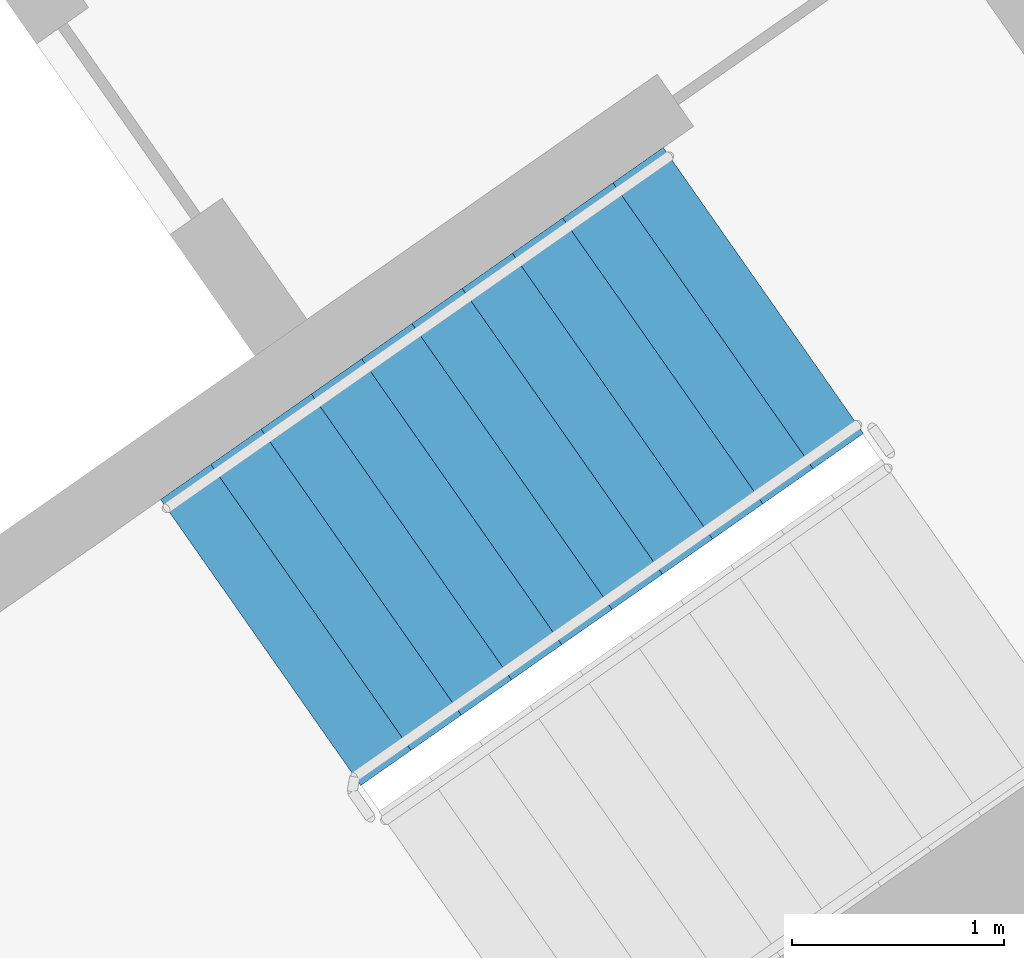
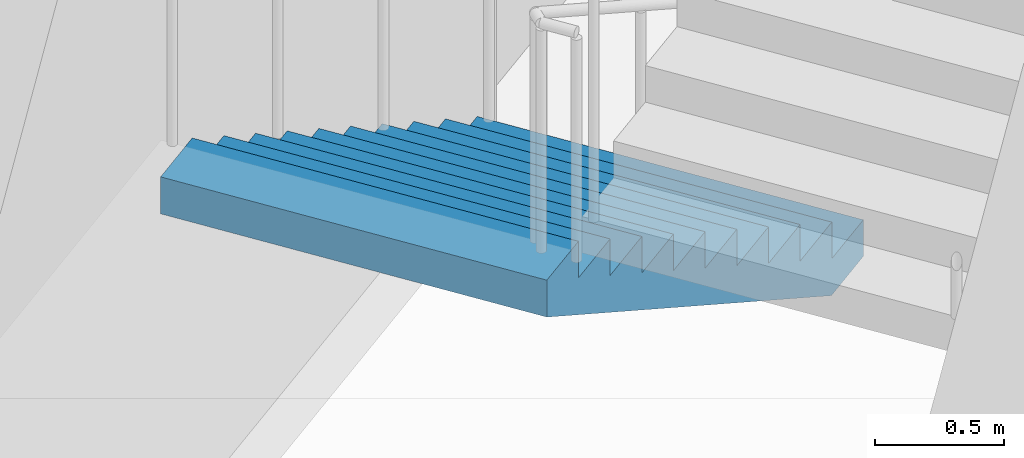
# One storey, part 15 of 35: 1 stair flight, 1 element without a shape of its own.
"""IFC4 building model written with IfcOpenShell, lengths in metres."""

from ifc_helpers import new_model, si_unit, direction, frame, origin, place, context, subcontext, project, spatial, faceted_brep, material, type_object, element, aggregate, save


model = new_model("IFC4")

# Units and contexts
model_context = context("Model", 3, precision=1e-05, world=origin(), true_north=direction((0.0, 1.0)))
body_context = subcontext(model_context, "Body", "Model", "MODEL_VIEW")
ifc_project = project(units=[si_unit("LENGTHUNIT", "METRE"), si_unit("AREAUNIT", "SQUARE_METRE"), si_unit("VOLUMEUNIT", "CUBIC_METRE"), si_unit("PLANEANGLEUNIT", "RADIAN"), si_unit("MASSUNIT", "GRAM", prefix="KILO")], contexts=[model_context])

# Site, building, storey
site_placement = place(None, origin())
site = spatial("IfcSite", under=ifc_project, at=site_placement, CompositionType="ELEMENT")
building_placement = place(site_placement, origin())
building = spatial("IfcBuilding", under=site, at=building_placement, Name="Qamariyya Broadcast Tower", CompositionType="ELEMENT")
storey_placement = place(building_placement, frame((0.0, 0.0, 40.5)))
storey = spatial("IfcBuildingStorey", under=building, at=storey_placement, Name="L06", CompositionType="ELEMENT", Elevation=40.5)

# Stair, stair flight
ifc_material = material(Name="Concrete C50/60", Category="concrete")
stair_type = type_object("IfcStairType", Name="Exit stair 22 risers of 173 mm", PredefinedType="HALF_TURN_STAIR", material=ifc_material)
stair_placement = place(storey_placement, origin())
stair = element("IfcStair", 1, at=stair_placement, inside=storey, type_object=stair_type, Name="L06 Stair E1", PredefinedType="HALF_TURN_STAIR")
stair_flight_type = type_object("IfcStairFlightType", Name="Exit stair flight 11 risers of 173 mm", PredefinedType="STRAIGHT", material=ifc_material)
stair_flight_placement = place(storey_placement, frame((46.036376953125, -55.508056640625, 0.0), z_axis=(0.0, 0.0, 1.0), x_axis=(-0.819152044289, -0.573576436351, 0.0)))
stair_flight = element("IfcStairFlight", 2, at=stair_flight_placement, type_object=stair_flight_type, Name="ST-E1 flight 1", NumberOfRisers=11, NumberOfTreads=10, PredefinedType="STRAIGHT", RiserHeight=0.172727273, TreadLength=0.29, context=body_context, shape_type="Brep", body=[
    faceted_brep([(0.0, 0.824951171875, 0.0), (0.0, 0.824951171875, 0.172607421875), (0.2900390625, 0.824951171875, 0.172607421875), (0.2900390625, 0.824951171875, 0.345458984375), (0.580078125, 0.824951171875, 0.345458984375), (0.580078125, 0.824951171875, 0.51806640625), (0.8701171875, 0.824951171875, 0.51806640625), (0.8701171875, 0.824951171875, 0.69091796875), (1.159912109375, 0.824951171875, 0.69091796875), (1.159912109375, 0.824951171875, 0.863525390625), (1.449951171875, 0.824951171875, 0.863525390625), (1.449951171875, 0.824951171875, 1.036376953125), (1.739990234375, 0.824951171875, 1.036376953125), (1.739990234375, 0.824951171875, 1.208984375), (2.030029296875, 0.824951171875, 1.208984375), (2.030029296875, 0.824951171875, 1.3818359375), (2.320068359375, 0.824951171875, 1.3818359375), (2.320068359375, 0.824951171875, 1.554443359375), (2.610107421875, 0.824951171875, 1.554443359375), (2.610107421875, 0.824951171875, 1.727294921875), (2.89990234375, 0.824951171875, 1.727294921875), (2.89990234375, 0.824951171875, 1.552734375), (0.29296875, 0.824951171875, 0.0), (0.29296875, -0.824951171875, 0.0), (2.89990234375, -0.824951171875, 1.552734375), (2.89990234375, -0.824951171875, 1.727294921875), (2.610107421875, -0.824951171875, 1.727294921875), (2.610107421875, -0.824951171875, 1.554443359375), (2.320068359375, -0.824951171875, 1.554443359375), (2.320068359375, -0.824951171875, 1.3818359375), (2.030029296875, -0.824951171875, 1.3818359375), (2.030029296875, -0.824951171875, 1.208984375), (1.739990234375, -0.824951171875, 1.208984375), (1.739990234375, -0.824951171875, 1.036376953125), (1.449951171875, -0.824951171875, 1.036376953125), (1.449951171875, -0.824951171875, 0.863525390625), (1.159912109375, -0.824951171875, 0.863525390625), (1.159912109375, -0.824951171875, 0.69091796875), (0.8701171875, -0.824951171875, 0.69091796875), (0.8701171875, -0.824951171875, 0.51806640625), (0.580078125, -0.824951171875, 0.51806640625), (0.580078125, -0.824951171875, 0.345458984375), (0.2900390625, -0.824951171875, 0.345458984375), (0.2900390625, -0.824951171875, 0.172607421875), (0.0, -0.824951171875, 0.172607421875), (0.0, -0.824951171875, 0.0), (0.0, 0.10009765625, 0.0), (0.0, 0.086669921875, 0.0), (0.0, 0.0732421875, 0.0), (0.0, 0.06005859375, 0.0), (0.0, 0.046630859375, 0.0), (0.0, 0.033447265625, 0.0), (0.0, 0.02001953125, 0.0), (0.0, 0.006591796875, 0.0), (0.0, -0.006591796875, 0.0), (0.0, -0.02001953125, 0.0), (0.0, -0.033447265625, 0.0), (0.0, -0.046630859375, 0.0), (0.0, -0.06005859375, 0.0), (0.0, -0.0732421875, 0.0), (0.0, -0.086669921875, 0.0), (0.0, -0.10009765625, 0.0), (0.0, -0.10009765625, 0.172607421875), (0.0, -0.086669921875, 0.172607421875), (0.0, -0.0732421875, 0.172607421875), (0.0, -0.06005859375, 0.172607421875), (0.0, -0.046630859375, 0.172607421875), (0.0, -0.033447265625, 0.172607421875), (0.0, -0.02001953125, 0.172607421875), (0.0, -0.006591796875, 0.172607421875), (0.0, 0.006591796875, 0.172607421875), (0.0, 0.02001953125, 0.172607421875), (0.0, 0.033447265625, 0.172607421875), (0.0, 0.046630859375, 0.172607421875), (0.0, 0.06005859375, 0.172607421875), (0.0, 0.0732421875, 0.172607421875), (0.0, 0.086669921875, 0.172607421875), (0.0, 0.10009765625, 0.172607421875), (0.2900390625, -0.10009765625, 0.172607421875), (0.2900390625, -0.086669921875, 0.172607421875), (0.2900390625, -0.0732421875, 0.172607421875), (0.2900390625, -0.06005859375, 0.172607421875), (0.2900390625, -0.046630859375, 0.172607421875), (0.2900390625, -0.033447265625, 0.172607421875), (0.2900390625, -0.02001953125, 0.172607421875), (0.2900390625, -0.006591796875, 0.172607421875), (0.2900390625, 0.006591796875, 0.172607421875), (0.2900390625, 0.02001953125, 0.172607421875), (0.2900390625, 0.033447265625, 0.172607421875), (0.2900390625, 0.046630859375, 0.172607421875), (0.2900390625, 0.06005859375, 0.172607421875), (0.2900390625, 0.0732421875, 0.172607421875), (0.2900390625, 0.086669921875, 0.172607421875), (0.2900390625, 0.10009765625, 0.172607421875), (0.2900390625, -0.10009765625, 0.345458984375), (0.2900390625, -0.086669921875, 0.345458984375), (0.2900390625, -0.0732421875, 0.345458984375), (0.2900390625, -0.06005859375, 0.345458984375), (0.2900390625, -0.046630859375, 0.345458984375), (0.2900390625, -0.033447265625, 0.345458984375), (0.2900390625, -0.02001953125, 0.345458984375), (0.2900390625, -0.006591796875, 0.345458984375), (0.2900390625, 0.006591796875, 0.345458984375), (0.2900390625, 0.02001953125, 0.345458984375), (0.2900390625, 0.033447265625, 0.345458984375), (0.2900390625, 0.046630859375, 0.345458984375), (0.2900390625, 0.06005859375, 0.345458984375), (0.2900390625, 0.0732421875, 0.345458984375), (0.2900390625, 0.086669921875, 0.345458984375), (0.2900390625, 0.10009765625, 0.345458984375), (0.580078125, -0.10009765625, 0.345458984375), (0.580078125, -0.086669921875, 0.345458984375), (0.580078125, -0.0732421875, 0.345458984375), (0.580078125, -0.06005859375, 0.345458984375), (0.580078125, -0.046630859375, 0.345458984375), (0.580078125, -0.033447265625, 0.345458984375), (0.580078125, -0.02001953125, 0.345458984375), (0.580078125, -0.006591796875, 0.345458984375), (0.580078125, 0.006591796875, 0.345458984375), (0.580078125, 0.02001953125, 0.345458984375), (0.580078125, 0.033447265625, 0.345458984375), (0.580078125, 0.046630859375, 0.345458984375), (0.580078125, 0.06005859375, 0.345458984375), (0.580078125, 0.0732421875, 0.345458984375), (0.580078125, 0.086669921875, 0.345458984375), (0.580078125, 0.10009765625, 0.345458984375), (0.580078125, -0.10009765625, 0.51806640625), (0.580078125, -0.086669921875, 0.51806640625), (0.580078125, -0.0732421875, 0.51806640625), (0.580078125, -0.06005859375, 0.51806640625), (0.580078125, -0.046630859375, 0.51806640625), (0.580078125, -0.033447265625, 0.51806640625), (0.580078125, -0.02001953125, 0.51806640625), (0.580078125, -0.006591796875, 0.51806640625), (0.580078125, 0.006591796875, 0.51806640625), (0.580078125, 0.02001953125, 0.51806640625), (0.580078125, 0.033447265625, 0.51806640625), (0.580078125, 0.046630859375, 0.51806640625), (0.580078125, 0.06005859375, 0.51806640625), (0.580078125, 0.0732421875, 0.51806640625), (0.580078125, 0.086669921875, 0.51806640625), (0.580078125, 0.10009765625, 0.51806640625), (0.8701171875, -0.10009765625, 0.51806640625), (0.8701171875, -0.086669921875, 0.51806640625), (0.8701171875, -0.0732421875, 0.51806640625), (0.8701171875, -0.06005859375, 0.51806640625), (0.8701171875, -0.046630859375, 0.51806640625), (0.8701171875, -0.033447265625, 0.51806640625), (0.8701171875, -0.02001953125, 0.51806640625), (0.8701171875, -0.006591796875, 0.51806640625), (0.8701171875, 0.006591796875, 0.51806640625), (0.8701171875, 0.02001953125, 0.51806640625), (0.8701171875, 0.033447265625, 0.51806640625), (0.8701171875, 0.046630859375, 0.51806640625), (0.8701171875, 0.06005859375, 0.51806640625), (0.8701171875, 0.0732421875, 0.51806640625), (0.8701171875, 0.086669921875, 0.51806640625), (0.8701171875, 0.10009765625, 0.51806640625), (0.8701171875, -0.10009765625, 0.69091796875), (0.8701171875, -0.086669921875, 0.69091796875), (0.8701171875, -0.0732421875, 0.69091796875), (0.8701171875, -0.06005859375, 0.69091796875), (0.8701171875, -0.046630859375, 0.69091796875), (0.8701171875, -0.033447265625, 0.69091796875), (0.8701171875, -0.02001953125, 0.69091796875), (0.8701171875, -0.006591796875, 0.69091796875), (0.8701171875, 0.006591796875, 0.69091796875), (0.8701171875, 0.02001953125, 0.69091796875), (0.8701171875, 0.033447265625, 0.69091796875), (0.8701171875, 0.046630859375, 0.69091796875), (0.8701171875, 0.06005859375, 0.69091796875), (0.8701171875, 0.0732421875, 0.69091796875), (0.8701171875, 0.086669921875, 0.69091796875), (0.8701171875, 0.10009765625, 0.69091796875), (1.159912109375, -0.10009765625, 0.69091796875), (1.159912109375, -0.086669921875, 0.69091796875), (1.159912109375, -0.0732421875, 0.69091796875), (1.159912109375, -0.06005859375, 0.69091796875), (1.159912109375, -0.046630859375, 0.69091796875), (1.159912109375, -0.033447265625, 0.69091796875), (1.159912109375, -0.02001953125, 0.69091796875), (1.159912109375, -0.006591796875, 0.69091796875), (1.159912109375, 0.006591796875, 0.69091796875), (1.159912109375, 0.02001953125, 0.69091796875), (1.159912109375, 0.033447265625, 0.69091796875), (1.159912109375, 0.046630859375, 0.69091796875), (1.159912109375, 0.06005859375, 0.69091796875), (1.159912109375, 0.0732421875, 0.69091796875), (1.159912109375, 0.086669921875, 0.69091796875), (1.159912109375, 0.10009765625, 0.69091796875), (1.159912109375, -0.10009765625, 0.863525390625), (1.159912109375, -0.086669921875, 0.863525390625), (1.159912109375, -0.0732421875, 0.863525390625), (1.159912109375, -0.06005859375, 0.863525390625), (1.159912109375, -0.046630859375, 0.863525390625), (1.159912109375, -0.033447265625, 0.863525390625), (1.159912109375, -0.02001953125, 0.863525390625), (1.159912109375, -0.006591796875, 0.863525390625), (1.159912109375, 0.006591796875, 0.863525390625), (1.159912109375, 0.02001953125, 0.863525390625), (1.159912109375, 0.033447265625, 0.863525390625), (1.159912109375, 0.046630859375, 0.863525390625), (1.159912109375, 0.06005859375, 0.863525390625), (1.159912109375, 0.0732421875, 0.863525390625), (1.159912109375, 0.086669921875, 0.863525390625), (1.159912109375, 0.10009765625, 0.863525390625), (1.449951171875, -0.10009765625, 0.863525390625), (1.449951171875, -0.086669921875, 0.863525390625), (1.449951171875, -0.0732421875, 0.863525390625), (1.449951171875, -0.06005859375, 0.863525390625), (1.449951171875, -0.046630859375, 0.863525390625), (1.449951171875, -0.033447265625, 0.863525390625), (1.449951171875, -0.02001953125, 0.863525390625), (1.449951171875, -0.006591796875, 0.863525390625), (1.449951171875, 0.006591796875, 0.863525390625), (1.449951171875, 0.02001953125, 0.863525390625), (1.449951171875, 0.033447265625, 0.863525390625), (1.449951171875, 0.046630859375, 0.863525390625), (1.449951171875, 0.06005859375, 0.863525390625), (1.449951171875, 0.0732421875, 0.863525390625), (1.449951171875, 0.086669921875, 0.863525390625), (1.449951171875, 0.10009765625, 0.863525390625), (1.449951171875, -0.10009765625, 1.036376953125), (1.449951171875, -0.086669921875, 1.036376953125), (1.449951171875, -0.0732421875, 1.036376953125), (1.449951171875, -0.06005859375, 1.036376953125), (1.449951171875, -0.046630859375, 1.036376953125), (1.449951171875, -0.033447265625, 1.036376953125), (1.449951171875, -0.02001953125, 1.036376953125), (1.449951171875, -0.006591796875, 1.036376953125), (1.449951171875, 0.006591796875, 1.036376953125), (1.449951171875, 0.02001953125, 1.036376953125), (1.449951171875, 0.033447265625, 1.036376953125), (1.449951171875, 0.046630859375, 1.036376953125), (1.449951171875, 0.06005859375, 1.036376953125), (1.449951171875, 0.0732421875, 1.036376953125), (1.449951171875, 0.086669921875, 1.036376953125), (1.449951171875, 0.10009765625, 1.036376953125), (1.739990234375, -0.10009765625, 1.036376953125), (1.739990234375, -0.086669921875, 1.036376953125), (1.739990234375, -0.0732421875, 1.036376953125), (1.739990234375, -0.06005859375, 1.036376953125), (1.739990234375, -0.046630859375, 1.036376953125), (1.739990234375, -0.033447265625, 1.036376953125), (1.739990234375, -0.02001953125, 1.036376953125), (1.739990234375, -0.006591796875, 1.036376953125), (1.739990234375, 0.006591796875, 1.036376953125), (1.739990234375, 0.02001953125, 1.036376953125), (1.739990234375, 0.033447265625, 1.036376953125), (1.739990234375, 0.046630859375, 1.036376953125), (1.739990234375, 0.06005859375, 1.036376953125), (1.739990234375, 0.0732421875, 1.036376953125), (1.739990234375, 0.086669921875, 1.036376953125), (1.739990234375, 0.10009765625, 1.036376953125), (1.739990234375, -0.10009765625, 1.208984375), (1.739990234375, -0.086669921875, 1.208984375), (1.739990234375, -0.0732421875, 1.208984375), (1.739990234375, -0.06005859375, 1.208984375), (1.739990234375, -0.046630859375, 1.208984375), (1.739990234375, -0.033447265625, 1.208984375), (1.739990234375, -0.02001953125, 1.208984375), (1.739990234375, -0.006591796875, 1.208984375), (1.739990234375, 0.006591796875, 1.208984375), (1.739990234375, 0.02001953125, 1.208984375), (1.739990234375, 0.033447265625, 1.208984375), (1.739990234375, 0.046630859375, 1.208984375), (1.739990234375, 0.06005859375, 1.208984375), (1.739990234375, 0.0732421875, 1.208984375), (1.739990234375, 0.086669921875, 1.208984375), (1.739990234375, 0.10009765625, 1.208984375), (2.030029296875, -0.10009765625, 1.208984375), (2.030029296875, -0.086669921875, 1.208984375), (2.030029296875, -0.0732421875, 1.208984375), (2.030029296875, -0.06005859375, 1.208984375), (2.030029296875, -0.046630859375, 1.208984375), (2.030029296875, -0.033447265625, 1.208984375), (2.030029296875, -0.02001953125, 1.208984375), (2.030029296875, -0.006591796875, 1.208984375), (2.030029296875, 0.006591796875, 1.208984375), (2.030029296875, 0.02001953125, 1.208984375), (2.030029296875, 0.033447265625, 1.208984375), (2.030029296875, 0.046630859375, 1.208984375), (2.030029296875, 0.06005859375, 1.208984375), (2.030029296875, 0.0732421875, 1.208984375), (2.030029296875, 0.086669921875, 1.208984375), (2.030029296875, 0.10009765625, 1.208984375), (2.030029296875, -0.10009765625, 1.3818359375), (2.030029296875, -0.086669921875, 1.3818359375), (2.030029296875, -0.0732421875, 1.3818359375), (2.030029296875, -0.06005859375, 1.3818359375), (2.030029296875, -0.046630859375, 1.3818359375), (2.030029296875, -0.033447265625, 1.3818359375), (2.030029296875, -0.02001953125, 1.3818359375), (2.030029296875, -0.006591796875, 1.3818359375), (2.030029296875, 0.006591796875, 1.3818359375), (2.030029296875, 0.02001953125, 1.3818359375), (2.030029296875, 0.033447265625, 1.3818359375), (2.030029296875, 0.046630859375, 1.3818359375), (2.030029296875, 0.06005859375, 1.3818359375), (2.030029296875, 0.0732421875, 1.3818359375), (2.030029296875, 0.086669921875, 1.3818359375), (2.030029296875, 0.10009765625, 1.3818359375), (2.320068359375, -0.10009765625, 1.3818359375), (2.320068359375, -0.086669921875, 1.3818359375), (2.320068359375, -0.0732421875, 1.3818359375), (2.320068359375, -0.06005859375, 1.3818359375), (2.320068359375, -0.046630859375, 1.3818359375), (2.320068359375, -0.033447265625, 1.3818359375), (2.320068359375, -0.02001953125, 1.3818359375), (2.320068359375, -0.006591796875, 1.3818359375), (2.320068359375, 0.006591796875, 1.3818359375), (2.320068359375, 0.02001953125, 1.3818359375), (2.320068359375, 0.033447265625, 1.3818359375), (2.320068359375, 0.046630859375, 1.3818359375), (2.320068359375, 0.06005859375, 1.3818359375), (2.320068359375, 0.0732421875, 1.3818359375), (2.320068359375, 0.086669921875, 1.3818359375), (2.320068359375, 0.10009765625, 1.3818359375), (2.320068359375, -0.10009765625, 1.554443359375), (2.320068359375, -0.086669921875, 1.554443359375), (2.320068359375, -0.0732421875, 1.554443359375), (2.320068359375, -0.06005859375, 1.554443359375), (2.320068359375, -0.046630859375, 1.554443359375), (2.320068359375, -0.033447265625, 1.554443359375), (2.320068359375, -0.02001953125, 1.554443359375), (2.320068359375, -0.006591796875, 1.554443359375), (2.320068359375, 0.006591796875, 1.554443359375), (2.320068359375, 0.02001953125, 1.554443359375), (2.320068359375, 0.033447265625, 1.554443359375), (2.320068359375, 0.046630859375, 1.554443359375), (2.320068359375, 0.06005859375, 1.554443359375), (2.320068359375, 0.0732421875, 1.554443359375), (2.320068359375, 0.086669921875, 1.554443359375), (2.320068359375, 0.10009765625, 1.554443359375), (2.610107421875, -0.10009765625, 1.554443359375), (2.610107421875, -0.086669921875, 1.554443359375), (2.610107421875, -0.0732421875, 1.554443359375), (2.610107421875, -0.06005859375, 1.554443359375), (2.610107421875, -0.046630859375, 1.554443359375), (2.610107421875, -0.033447265625, 1.554443359375), (2.610107421875, -0.02001953125, 1.554443359375), (2.610107421875, -0.006591796875, 1.554443359375), (2.610107421875, 0.006591796875, 1.554443359375), (2.610107421875, 0.02001953125, 1.554443359375), (2.610107421875, 0.033447265625, 1.554443359375), (2.610107421875, 0.046630859375, 1.554443359375), (2.610107421875, 0.06005859375, 1.554443359375), (2.610107421875, 0.0732421875, 1.554443359375), (2.610107421875, 0.086669921875, 1.554443359375), (2.610107421875, 0.10009765625, 1.554443359375), (2.610107421875, -0.10009765625, 1.727294921875), (2.610107421875, -0.086669921875, 1.727294921875), (2.610107421875, -0.0732421875, 1.727294921875), (2.610107421875, -0.06005859375, 1.727294921875), (2.610107421875, -0.046630859375, 1.727294921875), (2.610107421875, -0.033447265625, 1.727294921875), (2.610107421875, -0.02001953125, 1.727294921875), (2.610107421875, -0.006591796875, 1.727294921875), (2.610107421875, 0.006591796875, 1.727294921875), (2.610107421875, 0.02001953125, 1.727294921875), (2.610107421875, 0.033447265625, 1.727294921875), (2.610107421875, 0.046630859375, 1.727294921875), (2.610107421875, 0.06005859375, 1.727294921875), (2.610107421875, 0.0732421875, 1.727294921875), (2.610107421875, 0.086669921875, 1.727294921875), (2.610107421875, 0.10009765625, 1.727294921875), (2.89990234375, -0.10009765625, 1.727294921875), (2.89990234375, -0.086669921875, 1.727294921875), (2.89990234375, -0.0732421875, 1.727294921875), (2.89990234375, -0.06005859375, 1.727294921875), (2.89990234375, -0.046630859375, 1.727294921875), (2.89990234375, -0.033447265625, 1.727294921875), (2.89990234375, -0.02001953125, 1.727294921875), (2.89990234375, -0.006591796875, 1.727294921875), (2.89990234375, 0.006591796875, 1.727294921875), (2.89990234375, 0.02001953125, 1.727294921875), (2.89990234375, 0.033447265625, 1.727294921875), (2.89990234375, 0.046630859375, 1.727294921875), (2.89990234375, 0.06005859375, 1.727294921875), (2.89990234375, 0.0732421875, 1.727294921875), (2.89990234375, 0.086669921875, 1.727294921875), (2.89990234375, 0.10009765625, 1.727294921875), (2.89990234375, -0.10009765625, 1.552734375), (2.89990234375, -0.086669921875, 1.552734375), (2.89990234375, -0.0732421875, 1.552734375), (2.89990234375, -0.06005859375, 1.552734375), (2.89990234375, -0.046630859375, 1.552734375), (2.89990234375, -0.033447265625, 1.552734375), (2.89990234375, -0.02001953125, 1.552734375), (2.89990234375, -0.006591796875, 1.552734375), (2.89990234375, 0.006591796875, 1.552734375), (2.89990234375, 0.02001953125, 1.552734375), (2.89990234375, 0.033447265625, 1.552734375), (2.89990234375, 0.046630859375, 1.552734375), (2.89990234375, 0.06005859375, 1.552734375), (2.89990234375, 0.0732421875, 1.552734375), (2.89990234375, 0.086669921875, 1.552734375), (2.89990234375, 0.10009765625, 1.552734375), (0.29296875, -0.10009765625, 0.0), (0.29296875, -0.086669921875, 0.0), (0.29296875, -0.0732421875, 0.0), (0.29296875, -0.06005859375, 0.0), (0.29296875, -0.046630859375, 0.0), (0.29296875, -0.033447265625, 0.0), (0.29296875, -0.02001953125, 0.0), (0.29296875, -0.006591796875, 0.0), (0.29296875, 0.006591796875, 0.0), (0.29296875, 0.02001953125, 0.0), (0.29296875, 0.033447265625, 0.0), (0.29296875, 0.046630859375, 0.0), (0.29296875, 0.06005859375, 0.0), (0.29296875, 0.0732421875, 0.0), (0.29296875, 0.086669921875, 0.0), (0.29296875, 0.10009765625, 0.0)], [[[0, 1, 2, 3, 4, 5, 6, 7, 8, 9, 10, 11, 12, 13, 14, 15, 16, 17, 18, 19, 20, 21, 22]], [[23, 24, 25, 26, 27, 28, 29, 30, 31, 32, 33, 34, 35, 36, 37, 38, 39, 40, 41, 42, 43, 44, 45]], [[0, 46, 47, 48, 49, 50, 51, 52, 53, 54, 55, 56, 57, 58, 59, 60, 61, 45, 44, 62, 63, 64, 65, 66, 67, 68, 69, 70, 71, 72, 73, 74, 75, 76, 77, 1]], [[1, 77, 76, 75, 74, 73, 72, 71, 70, 69, 68, 67, 66, 65, 64, 63, 62, 44, 43, 78, 79, 80, 81, 82, 83, 84, 85, 86, 87, 88, 89, 90, 91, 92, 93, 2]], [[2, 93, 92, 91, 90, 89, 88, 87, 86, 85, 84, 83, 82, 81, 80, 79, 78, 43, 42, 94, 95, 96, 97, 98, 99, 100, 101, 102, 103, 104, 105, 106, 107, 108, 109, 3]], [[3, 109, 108, 107, 106, 105, 104, 103, 102, 101, 100, 99, 98, 97, 96, 95, 94, 42, 41, 110, 111, 112, 113, 114, 115, 116, 117, 118, 119, 120, 121, 122, 123, 124, 125, 4]], [[4, 125, 124, 123, 122, 121, 120, 119, 118, 117, 116, 115, 114, 113, 112, 111, 110, 41, 40, 126, 127, 128, 129, 130, 131, 132, 133, 134, 135, 136, 137, 138, 139, 140, 141, 5]], [[5, 141, 140, 139, 138, 137, 136, 135, 134, 133, 132, 131, 130, 129, 128, 127, 126, 40, 39, 142, 143, 144, 145, 146, 147, 148, 149, 150, 151, 152, 153, 154, 155, 156, 157, 6]], [[6, 157, 156, 155, 154, 153, 152, 151, 150, 149, 148, 147, 146, 145, 144, 143, 142, 39, 38, 158, 159, 160, 161, 162, 163, 164, 165, 166, 167, 168, 169, 170, 171, 172, 173, 7]], [[7, 173, 172, 171, 170, 169, 168, 167, 166, 165, 164, 163, 162, 161, 160, 159, 158, 38, 37, 174, 175, 176, 177, 178, 179, 180, 181, 182, 183, 184, 185, 186, 187, 188, 189, 8]], [[8, 189, 188, 187, 186, 185, 184, 183, 182, 181, 180, 179, 178, 177, 176, 175, 174, 37, 36, 190, 191, 192, 193, 194, 195, 196, 197, 198, 199, 200, 201, 202, 203, 204, 205, 9]], [[9, 205, 204, 203, 202, 201, 200, 199, 198, 197, 196, 195, 194, 193, 192, 191, 190, 36, 35, 206, 207, 208, 209, 210, 211, 212, 213, 214, 215, 216, 217, 218, 219, 220, 221, 10]], [[10, 221, 220, 219, 218, 217, 216, 215, 214, 213, 212, 211, 210, 209, 208, 207, 206, 35, 34, 222, 223, 224, 225, 226, 227, 228, 229, 230, 231, 232, 233, 234, 235, 236, 237, 11]], [[11, 237, 236, 235, 234, 233, 232, 231, 230, 229, 228, 227, 226, 225, 224, 223, 222, 34, 33, 238, 239, 240, 241, 242, 243, 244, 245, 246, 247, 248, 249, 250, 251, 252, 253, 12]], [[12, 253, 252, 251, 250, 249, 248, 247, 246, 245, 244, 243, 242, 241, 240, 239, 238, 33, 32, 254, 255, 256, 257, 258, 259, 260, 261, 262, 263, 264, 265, 266, 267, 268, 269, 13]], [[13, 269, 268, 267, 266, 265, 264, 263, 262, 261, 260, 259, 258, 257, 256, 255, 254, 32, 31, 270, 271, 272, 273, 274, 275, 276, 277, 278, 279, 280, 281, 282, 283, 284, 285, 14]], [[14, 285, 284, 283, 282, 281, 280, 279, 278, 277, 276, 275, 274, 273, 272, 271, 270, 31, 30, 286, 287, 288, 289, 290, 291, 292, 293, 294, 295, 296, 297, 298, 299, 300, 301, 15]], [[15, 301, 300, 299, 298, 297, 296, 295, 294, 293, 292, 291, 290, 289, 288, 287, 286, 30, 29, 302, 303, 304, 305, 306, 307, 308, 309, 310, 311, 312, 313, 314, 315, 316, 317, 16]], [[16, 317, 316, 315, 314, 313, 312, 311, 310, 309, 308, 307, 306, 305, 304, 303, 302, 29, 28, 318, 319, 320, 321, 322, 323, 324, 325, 326, 327, 328, 329, 330, 331, 332, 333, 17]], [[17, 333, 332, 331, 330, 329, 328, 327, 326, 325, 324, 323, 322, 321, 320, 319, 318, 28, 27, 334, 335, 336, 337, 338, 339, 340, 341, 342, 343, 344, 345, 346, 347, 348, 349, 18]], [[18, 349, 348, 347, 346, 345, 344, 343, 342, 341, 340, 339, 338, 337, 336, 335, 334, 27, 26, 350, 351, 352, 353, 354, 355, 356, 357, 358, 359, 360, 361, 362, 363, 364, 365, 19]], [[19, 365, 364, 363, 362, 361, 360, 359, 358, 357, 356, 355, 354, 353, 352, 351, 350, 26, 25, 366, 367, 368, 369, 370, 371, 372, 373, 374, 375, 376, 377, 378, 379, 380, 381, 20]], [[20, 381, 380, 379, 378, 377, 376, 375, 374, 373, 372, 371, 370, 369, 368, 367, 366, 25, 24, 382, 383, 384, 385, 386, 387, 388, 389, 390, 391, 392, 393, 394, 395, 396, 397, 21]], [[21, 397, 396, 395, 394, 393, 392, 391, 390, 389, 388, 387, 386, 385, 384, 383, 382, 24, 23, 398, 399, 400, 401, 402, 403, 404, 405, 406, 407, 408, 409, 410, 411, 412, 413, 22]], [[22, 413, 412, 411, 410, 409, 408, 407, 406, 405, 404, 403, 402, 401, 400, 399, 398, 23, 45, 61, 60, 59, 58, 57, 56, 55, 54, 53, 52, 51, 50, 49, 48, 47, 46, 0]]]),
])
aggregate(stair, [stair_flight])

save(model, "model.ifc")
